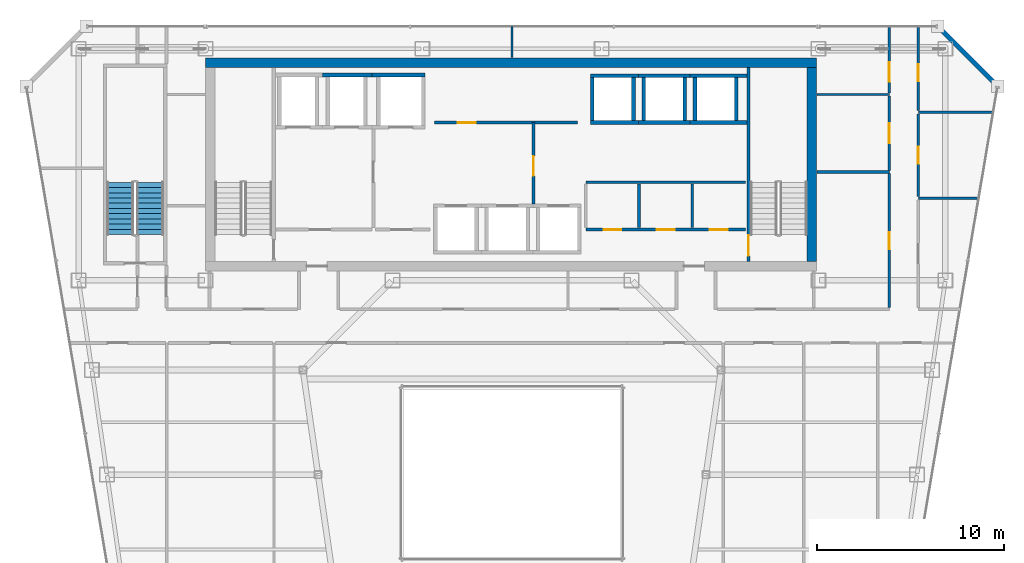
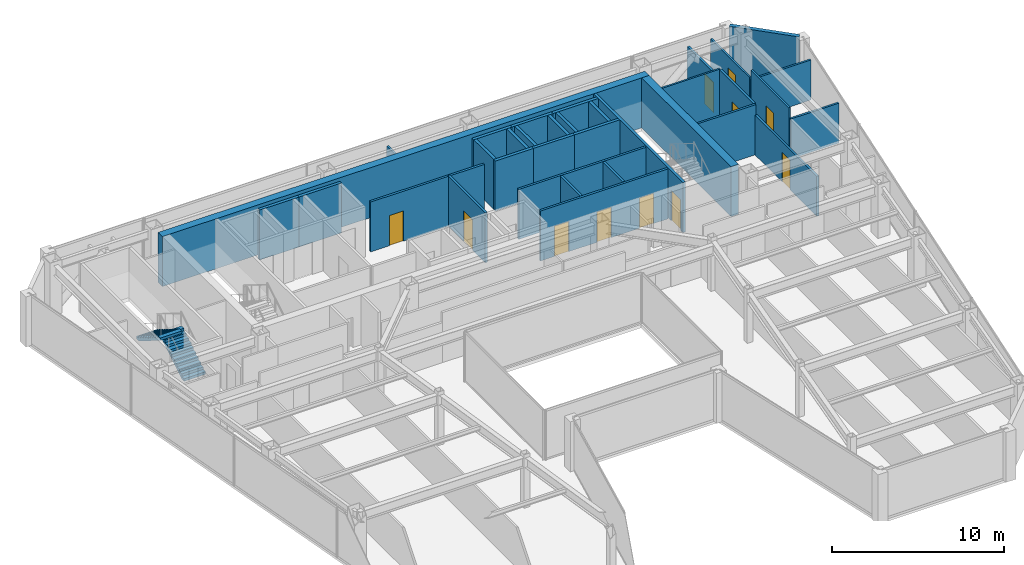
# One storey, part 32 of 36: 34 walls, 11 doors, 2 stair flights, 11 openings, 1 element without a shape of its own.
"""IFC4 building model written with IfcOpenShell, lengths in metres."""

from ifc_helpers import new_model, si_unit, direction, frame, frame_2d, origin, place, context, subcontext, project, spatial, polyline, rectangle, outline, extrude, material, layer, layer_set, type_object, element, fill, aggregate, save


model = new_model("IFC4")

# Units and contexts
model_context = context("Model", 3, precision=1e-05, world=origin(), true_north=direction((0.0, 1.0)))
body_context = subcontext(model_context, "Body", "Model", "MODEL_VIEW")
ifc_project = project(units=[si_unit("LENGTHUNIT", "METRE"), si_unit("AREAUNIT", "SQUARE_METRE"), si_unit("VOLUMEUNIT", "CUBIC_METRE"), si_unit("PLANEANGLEUNIT", "RADIAN"), si_unit("MASSUNIT", "GRAM", prefix="KILO")], contexts=[model_context])

# Site, building, storey
site_placement = place(None, origin())
site = spatial("IfcSite", under=ifc_project, at=site_placement, CompositionType="ELEMENT")
building_placement = place(site_placement, origin())
building = spatial("IfcBuilding", under=site, at=building_placement, Name="Saevonmaru Cultural Tower", CompositionType="ELEMENT")
storey_placement = place(building_placement, frame((0.0, 0.0, 201.800048828125)))
storey = spatial("IfcBuildingStorey", under=building, at=storey_placement, Name="L46", CompositionType="ELEMENT", Elevation=201.800048828125)

# Walls
ifc_material_1 = material(Name="Concrete C60/75", Category="concrete")
ifc_layer_1 = layer(ifc_material_1, 0.5, Name="Concrete C60/75")
ifc_layer_set_1 = layer_set([ifc_layer_1], Name="Concrete C60/75")
wall_type_1 = type_object("IfcWallType", Name="WL-CORE-500", PredefinedType="SHEAR", material=ifc_layer_set_1)
wall_1_placement = place(storey_placement, frame((13.60009765625, 54.050048828125, 0.0), z_axis=(0.0, 0.0, 1.0), x_axis=(1.0, 0.0, 0.0)))
element("IfcWall", 1, at=wall_1_placement, inside=storey, type_object=wall_type_1, Name="L46 Tower RC core shear wall N", PredefinedType="SHEAR", context=body_context, shape_type="SweptSolid", body=[
    extrude(rectangle(XDim=32.699951171875, YDim=0.5, at=frame_2d((16.35009765625, 0.0))), origin(), (0.0, 0.0, 1.0), 3.550048828125),
])
wall_2_placement = place(storey_placement, frame((46.050048828125, 43.39990234375, 0.0), z_axis=(0.0, 0.0, 1.0), x_axis=(0.0, 1.0, 0.0)))
element("IfcWall", 2, at=wall_2_placement, inside=storey, type_object=wall_type_1, Name="L46 Tower RC core shear wall E", PredefinedType="SHEAR", context=body_context, shape_type="SweptSolid", body=[
    extrude(rectangle(XDim=10.400146484375, YDim=0.5, at=frame_2d((5.2001953125, 0.0))), origin(), (0.0, 0.0, 1.0), 3.550048828125),
])

# Wall, opening, door
ifc_material_2 = material(Name="Gypsum Fireboard Partition", Category="gypsum")
ifc_layer_2 = layer(ifc_material_2, 0.14990234375, Name="Gypsum Fireboard Partition")
ifc_layer_set_2 = layer_set([ifc_layer_2], Name="Gypsum Fireboard Partition")
wall_type_2 = type_object("IfcWallType", Name="WL-CORE-PART-150", PredefinedType="PARTITIONING", material=ifc_layer_set_2)
wall_3_placement = place(storey_placement, frame((31.14990234375, 46.5, 0.0), z_axis=(0.0, 0.0, 1.0), x_axis=(0.0, 1.0, 0.0)))
wall_3 = element("IfcWall", 3, at=wall_3_placement, inside=storey, type_object=wall_type_2, Name="L46 Lift Zone Baffle 1", PredefinedType="PARTITIONING", context=body_context, shape_type="SweptSolid", body=[
    extrude(rectangle(XDim=4.35009765625, YDim=0.14990234375, at=frame_2d((2.175048828125, 0.0))), origin(), (0.0, 0.0, 1.0), 3.550048828125),
])
opening_1_placement = place(wall_3_placement, frame((1.5, 0.0, 0.0)))
opening_1 = element("IfcOpeningElement", 4, at=opening_1_placement, cuts=wall_3, Name="Opening ID-1", PredefinedType="OPENING", context=body_context, shape_type="SweptSolid", body=[
    extrude(rectangle(XDim=1.050048828125, YDim=2.14990234375, at=frame_2d((0.52490234375, 1.074951171875))), frame((0.0, 0.0849609375, 0.0), z_axis=(0.0, -1.0, 0.0), x_axis=(1.0, 0.0, 0.0)), (0.0, 0.0, 1.0), 0.169921875),
])
ifc_material_3 = material(Name="Satin Bronze Anodised Aluminium", Category="aluminium")
door_type_1 = type_object("IfcDoorType", Name="DR-INT-1050", OperationType="SINGLE_SWING_LEFT", PredefinedType="DOOR", material=ifc_material_3)
door_1_placement = place(opening_1_placement, origin())
door_1 = element("IfcDoor", 5, at=door_1_placement, inside=storey, type_object=door_type_1, Name="L46 West-Mid Lobby Portal", OperationType="SINGLE_SWING_LEFT", OverallHeight=2.14990234375, OverallWidth=1.050048828125, PredefinedType="DOOR", context=body_context, shape_type="SweptSolid", body=[
    extrude(rectangle(XDim=1.050048828125, YDim=2.14990234375, at=frame_2d((0.52490234375, 1.074951171875))), frame((0.0, 0.02490234375, 0.0), z_axis=(0.0, -1.0, 0.0), x_axis=(1.0, 0.0, 0.0)), (0.0, 0.0, 1.0), 0.050048828125),
])
fill(opening_1, door_1)

# Wall, openings, doors
wall_4_placement = place(storey_placement, frame((33.949951171875, 45.1201171875, 0.0), z_axis=(0.0, 0.0, 1.0), x_axis=(1.0, 0.0, 0.0)))
wall_4 = element("IfcWall", 6, at=wall_4_placement, inside=storey, type_object=wall_type_2, Name="L46 Core Utility South Wall", PredefinedType="PARTITIONING", context=body_context, shape_type="SweptSolid", body=[
    extrude(rectangle(XDim=8.550048828125, YDim=0.14990234375, at=frame_2d((4.27490234375, 0.0))), origin(), (0.0, 0.0, 1.0), 3.550048828125),
])
opening_2_placement = place(wall_4_placement, frame((0.949951171875, 0.0, 0.0)))
opening_2 = element("IfcOpeningElement", 7, at=opening_2_placement, cuts=wall_4, Name="Opening FD-4", PredefinedType="OPENING", context=body_context, shape_type="SweptSolid", body=[
    extrude(rectangle(XDim=0.949951171875, YDim=2.14990234375, at=frame_2d((0.47509765625, 1.074951171875))), frame((0.0, 0.0849609375, 0.0), z_axis=(0.0, -1.0, 0.0), x_axis=(1.0, 0.0, 0.0)), (0.0, 0.0, 1.0), 0.169921875),
])
opening_3_placement = place(wall_4_placement, frame((3.800048828125, 0.0, 0.0)))
opening_3 = element("IfcOpeningElement", 8, at=opening_3_placement, cuts=wall_4, Name="Opening FD-4", PredefinedType="OPENING", context=body_context, shape_type="SweptSolid", body=[
    extrude(rectangle(XDim=0.949951171875, YDim=2.14990234375, at=frame_2d((0.47509765625, 1.074951171875))), frame((0.0, 0.0849609375, 0.0), z_axis=(0.0, -1.0, 0.0), x_axis=(1.0, 0.0, 0.0)), (0.0, 0.0, 1.0), 0.169921875),
])
opening_4_placement = place(wall_4_placement, frame((6.64990234375, 0.0, 0.0)))
opening_4 = element("IfcOpeningElement", 9, at=opening_4_placement, cuts=wall_4, Name="Opening FD-4", PredefinedType="OPENING", context=body_context, shape_type="SweptSolid", body=[
    extrude(rectangle(XDim=0.949951171875, YDim=2.14990234375, at=frame_2d((0.47509765625, 1.074951171875))), frame((0.0, 0.0849609375, 0.0), z_axis=(0.0, -1.0, 0.0), x_axis=(1.0, 0.0, 0.0)), (0.0, 0.0, 1.0), 0.169921875),
])
door_type_2 = type_object("IfcDoorType", Name="DR-FD60-950", OperationType="SINGLE_SWING_LEFT", PredefinedType="DOOR", material=ifc_material_3)
door_2_placement = place(opening_2_placement, origin())
door_2 = element("IfcDoor", 10, at=door_2_placement, inside=storey, type_object=door_type_2, Name="L46 Meter Plant Door", OperationType="SINGLE_SWING_LEFT", OverallHeight=2.14990234375, OverallWidth=0.949951171875, PredefinedType="DOOR", context=body_context, shape_type="SweptSolid", body=[
    extrude(rectangle(XDim=0.949951171875, YDim=2.14990234375, at=frame_2d((0.47509765625, 1.074951171875))), frame((0.0, 0.02490234375, 0.0), z_axis=(0.0, -1.0, 0.0), x_axis=(1.0, 0.0, 0.0)), (0.0, 0.0, 1.0), 0.050048828125),
])
fill(opening_2, door_2)
door_3_placement = place(opening_3_placement, origin())
door_3 = element("IfcDoor", 11, at=door_3_placement, inside=storey, type_object=door_type_2, Name="L46 AV Rack Plant Door", OperationType="SINGLE_SWING_LEFT", OverallHeight=2.14990234375, OverallWidth=0.949951171875, PredefinedType="DOOR", context=body_context, shape_type="SweptSolid", body=[
    extrude(rectangle(XDim=0.949951171875, YDim=2.14990234375, at=frame_2d((0.47509765625, 1.074951171875))), frame((0.0, 0.02490234375, 0.0), z_axis=(0.0, -1.0, 0.0), x_axis=(1.0, 0.0, 0.0)), (0.0, 0.0, 1.0), 0.050048828125),
])
fill(opening_3, door_3)
door_4_placement = place(opening_4_placement, origin())
door_4 = element("IfcDoor", 12, at=door_4_placement, inside=storey, type_object=door_type_2, Name="L46 Archive Supply Storage Door", OperationType="SINGLE_SWING_LEFT", OverallHeight=2.14990234375, OverallWidth=0.949951171875, PredefinedType="DOOR", context=body_context, shape_type="SweptSolid", body=[
    extrude(rectangle(XDim=0.949951171875, YDim=2.14990234375, at=frame_2d((0.47509765625, 1.074951171875))), frame((0.0, 0.02490234375, 0.0), z_axis=(0.0, -1.0, 0.0), x_axis=(1.0, 0.0, 0.0)), (0.0, 0.0, 1.0), 0.050048828125),
])
fill(opening_4, door_4)

# Walls
wall_5_placement = place(storey_placement, frame((33.949951171875, 47.64990234375, 0.0), z_axis=(0.0, 0.0, 1.0), x_axis=(1.0, 0.0, 0.0)))
element("IfcWall", 13, at=wall_5_placement, inside=storey, type_object=wall_type_2, Name="L46 Core Utility North Wall", PredefinedType="PARTITIONING", context=body_context, shape_type="SweptSolid", body=[
    extrude(rectangle(XDim=8.550048828125, YDim=0.14990234375, at=frame_2d((4.27490234375, 0.0))), origin(), (0.0, 0.0, 1.0), 3.550048828125),
])
for number, where, z_axis, x_axis, name in (
    (14, (36.800048828125, 45.219970703125, 0.0), (0.0, 0.0, 1.0), (0.0, 1.0, 0.0), "L46 Utility Divider 1"),
    (15, (39.64990234375, 45.219970703125, 0.0), (0.0, 0.0, 1.0), (0.0, 1.0, 0.0), "L46 Utility Divider 2"),
):
    element("IfcWall", number, at=place(storey_placement, frame(where, z_axis=z_axis, x_axis=x_axis)), inside=storey, type_object=wall_type_2, Name=name, PredefinedType="PARTITIONING", context=body_context, shape_type="SweptSolid", body=[
        extrude(rectangle(XDim=2.330078125, YDim=0.14990234375, at=frame_2d((1.1650390625, 0.0))), origin(), (0.0, 0.0, 1.0), 3.550048828125),
    ])

# Wall, opening, door
wall_6_placement = place(storey_placement, frame((25.85009765625, 50.85009765625, 0.0), z_axis=(0.0, 0.0, 1.0), x_axis=(1.0, 0.0, 0.0)))
wall_6 = element("IfcWall", 16, at=wall_6_placement, inside=storey, type_object=wall_type_2, Name="L46 Reclaimed Core Room South Wall", PredefinedType="PARTITIONING", context=body_context, shape_type="SweptSolid", body=[
    extrude(rectangle(XDim=7.64990234375, YDim=0.14990234375, at=frame_2d((3.824951171875, 0.0))), origin(), (0.0, 0.0, 1.0), 3.550048828125),
])
opening_5_placement = place(wall_6_placement, frame((1.25, 0.0, 0.0)))
opening_5 = element("IfcOpeningElement", 17, at=opening_5_placement, cuts=wall_6, Name="Opening FD-4", PredefinedType="OPENING", context=body_context, shape_type="SweptSolid", body=[
    extrude(rectangle(XDim=0.949951171875, YDim=2.14990234375, at=frame_2d((0.47509765625, 1.074951171875))), frame((0.0, 0.0849609375, 0.0), z_axis=(0.0, -1.0, 0.0), x_axis=(1.0, 0.0, 0.0)), (0.0, 0.0, 1.0), 0.169921875),
])
door_5_placement = place(opening_5_placement, origin())
door_5 = element("IfcDoor", 18, at=door_5_placement, inside=storey, type_object=door_type_2, Name="L46 Reclaimed Archive Vault Door", OperationType="SINGLE_SWING_LEFT", OverallHeight=2.14990234375, OverallWidth=0.949951171875, PredefinedType="DOOR", context=body_context, shape_type="SweptSolid", body=[
    extrude(rectangle(XDim=0.949951171875, YDim=2.14990234375, at=frame_2d((0.47509765625, 1.074951171875))), frame((0.0, 0.02490234375, 0.0), z_axis=(0.0, -1.0, 0.0), x_axis=(1.0, 0.0, 0.0)), (0.0, 0.0, 1.0), 0.050048828125),
])
fill(opening_5, door_5)

# Wall
ifc_material_4 = material(Name="Granite-Clad Precast Concrete C40/50", Category="masonry")
ifc_layer_3 = layer(ifc_material_4, 0.260009765625, Name="Granite-Clad Precast Concrete C40/50")
ifc_layer_set_3 = layer_set([ifc_layer_3], Name="Granite-Clad Precast Concrete C40/50")
wall_type_3 = type_object("IfcWallType", Name="WL-EXT-SPANDREL-260", PredefinedType="STANDARD", material=ifc_layer_set_3)
wall_7_placement = place(storey_placement, frame((55.886962890625, 52.9130859375, 0.0), z_axis=(0.0, 0.0, 1.0), x_axis=(-0.707106781187, 0.707106781187, 0.0)))
element("IfcWall", 19, at=wall_7_placement, inside=storey, type_object=wall_type_3, Name="L46 Chamfer Corner Spandrel Wall E9", PredefinedType="STANDARD", context=body_context, shape_type="SweptSolid", body=[
    extrude(rectangle(XDim=4.205810546875, YDim=0.260009765625, at=frame_2d((2.10302734375, 0.0))), origin(), (0.0, 0.0, 1.0), 3.550048828125),
])

# Wall, opening, door
ifc_layer_4 = layer(ifc_material_2, 0.14990234375, Name="Gypsum Fireboard Partition")
ifc_layer_set_4 = layer_set([ifc_layer_4], Name="Gypsum Fireboard Partition")
wall_type_4 = type_object("IfcWallType", Name="WL-PART-FIRE-150", PredefinedType="PARTITIONING", material=ifc_layer_set_4)
wall_8_placement = place(storey_placement, frame((50.199951171875, 48.2900390625, 0.0), z_axis=(0.0, 0.0, 1.0), x_axis=(0.0, 1.0, 0.0)))
wall_8 = element("IfcWall", 20, at=wall_8_placement, inside=storey, type_object=wall_type_4, Name="L46 Permanent Exhibition Gallery Corridor Wall", PredefinedType="PARTITIONING", context=body_context, shape_type="SweptSolid", body=[
    extrude(rectangle(XDim=3.97998046875, YDim=0.14990234375, at=frame_2d((1.989990234375, 0.0))), origin(), (0.0, 0.0, 1.0), 3.550048828125),
])
opening_6_placement = place(wall_8_placement, frame((1.465087890625, 0.0, 0.0)))
opening_6 = element("IfcOpeningElement", 21, at=opening_6_placement, cuts=wall_8, Name="Opening ID-1", PredefinedType="OPENING", context=body_context, shape_type="SweptSolid", body=[
    extrude(rectangle(XDim=1.050048828125, YDim=2.14990234375, at=frame_2d((0.52490234375, 1.074951171875))), frame((0.0, 0.0849609375, 0.0), z_axis=(0.0, -1.0, 0.0), x_axis=(1.0, 0.0, 0.0)), (0.0, 0.0, 1.0), 0.169921875),
])
door_6_placement = place(opening_6_placement, origin())
door_6 = element("IfcDoor", 22, at=door_6_placement, inside=storey, type_object=door_type_1, Name="L46 Permanent Exhibition Gallery Door", OperationType="SINGLE_SWING_LEFT", OverallHeight=2.14990234375, OverallWidth=1.050048828125, PredefinedType="DOOR", context=body_context, shape_type="SweptSolid", body=[
    extrude(rectangle(XDim=1.050048828125, YDim=2.14990234375, at=frame_2d((0.52490234375, 1.074951171875))), frame((0.0, 0.02490234375, 0.0), z_axis=(0.0, -1.0, 0.0), x_axis=(1.0, 0.0, 0.0)), (0.0, 0.0, 1.0), 0.050048828125),
])
fill(opening_6, door_6)

wall_9_placement = place(storey_placement, frame((50.199951171875, 52.429931640625, 0.0), z_axis=(0.0, 0.0, 1.0), x_axis=(0.0, 1.0, 0.0)))
wall_9 = element("IfcWall", 23, at=wall_9_placement, inside=storey, type_object=wall_type_4, Name="L46 Contemporary Photography Gallery Corridor Wall", PredefinedType="PARTITIONING", context=body_context, shape_type="SweptSolid", body=[
    extrude(rectangle(XDim=3.565185546875, YDim=0.14990234375, at=frame_2d((1.78271484375, 0.0))), origin(), (0.0, 0.0, 1.0), 2.93505859375),
])
opening_7_placement = place(wall_9_placement, frame((0.596923828125, 0.0, 0.0)))
opening_7 = element("IfcOpeningElement", 24, at=opening_7_placement, cuts=wall_9, Name="Opening ID-1", PredefinedType="OPENING", context=body_context, shape_type="SweptSolid", body=[
    extrude(rectangle(XDim=1.050048828125, YDim=2.14990234375, at=frame_2d((0.52490234375, 1.074951171875))), frame((0.0, 0.0849609375, 0.0), z_axis=(0.0, -1.0, 0.0), x_axis=(1.0, 0.0, 0.0)), (0.0, 0.0, 1.0), 0.169921875),
])
door_7_placement = place(opening_7_placement, origin())
door_7 = element("IfcDoor", 25, at=door_7_placement, inside=storey, type_object=door_type_1, Name="L46 Contemporary Photography Gallery Door", OperationType="SINGLE_SWING_RIGHT", OverallHeight=2.14990234375, OverallWidth=1.050048828125, PredefinedType="DOOR", context=body_context, shape_type="SweptSolid", body=[
    extrude(rectangle(XDim=1.050048828125, YDim=2.14990234375, at=frame_2d((0.52490234375, 1.074951171875))), frame((0.0, 0.02490234375, 0.0), z_axis=(0.0, -1.0, 0.0), x_axis=(1.0, 0.0, 0.0)), (0.0, 0.0, 1.0), 0.050048828125),
])
fill(opening_7, door_7)

# Walls
ifc_layer_5 = layer(ifc_material_2, 0.1201171875, Name="Gypsum Fireboard Partition")
ifc_layer_set_5 = layer_set([ifc_layer_5], Name="Gypsum Fireboard Partition")
wall_type_5 = type_object("IfcWallType", Name="WL-PART-GYP-120", PredefinedType="PARTITIONING", material=ifc_layer_set_5)
wall_10_placement = place(storey_placement, frame((46.320068359375, 52.35009765625, 0.0), z_axis=(0.0, 0.0, 1.0), x_axis=(1.0, 0.0, 0.0)))
element("IfcWall", 26, at=wall_10_placement, inside=storey, type_object=wall_type_5, Name="L46 North-East Panorama South Wall", PredefinedType="PARTITIONING", context=body_context, shape_type="SweptSolid", body=[
    extrude(rectangle(XDim=3.8798828125, YDim=0.1201171875, at=frame_2d((1.93994140625, 0.0))), origin(), (0.0, 0.0, 1.0), 3.550048828125),
])
wall_11_placement = place(storey_placement, frame((30.0, 54.320068359375, 0.0), z_axis=(0.0, 0.0, 1.0), x_axis=(0.0, 1.0, 0.0)))
element("IfcWall", 27, at=wall_11_placement, inside=storey, type_object=wall_type_5, Name="L46 North Panorama Center Split", PredefinedType="PARTITIONING", context=body_context, shape_type="SweptSolid", body=[
    extrude(rectangle(XDim=1.675048828125, YDim=0.1201171875, at=frame_2d((0.83740234375, 0.0))), origin(), (0.0, 0.0, 1.0), 2.93505859375),
])

# Wall, opening, door
wall_12_placement = place(storey_placement, frame((51.75, 46.887451171875, 0.0), z_axis=(0.0, 0.0, 1.0), x_axis=(0.0, 1.0, 0.0)))
wall_12 = element("IfcWall", 28, at=wall_12_placement, inside=storey, type_object=wall_type_5, Name="L46 Urban Design Meeting Room Corridor Wall", PredefinedType="PARTITIONING", context=body_context, shape_type="SweptSolid", body=[
    extrude(rectangle(XDim=4.425048828125, YDim=0.1201171875, at=frame_2d((2.21240234375, 0.0))), origin(), (0.0, 0.0, 1.0), 3.550048828125),
])
opening_8_placement = place(wall_12_placement, frame((1.761962890625, 0.0, 0.0)))
opening_8 = element("IfcOpeningElement", 29, at=opening_8_placement, cuts=wall_12, Name="Opening ID-2", PredefinedType="OPENING", context=body_context, shape_type="SweptSolid", body=[
    extrude(rectangle(XDim=0.89990234375, YDim=2.10009765625, at=frame_2d((0.449951171875, 1.050048828125))), frame((0.0, 0.070068359375, 0.0), z_axis=(0.0, -1.0, 0.0), x_axis=(1.0, 0.0, 0.0)), (0.0, 0.0, 1.0), 0.14013671875),
])
ifc_material_5 = material(Name="Acoustic Stained Oak Timber", Category="wood")
door_type_3 = type_object("IfcDoorType", Name="DR-INT-900", OperationType="SINGLE_SWING_RIGHT", PredefinedType="DOOR", material=ifc_material_5)
door_8_placement = place(opening_8_placement, origin())
door_8 = element("IfcDoor", 30, at=door_8_placement, inside=storey, type_object=door_type_3, Name="L46 Urban Design Meeting Room Door", OperationType="SINGLE_SWING_RIGHT", OverallHeight=2.10009765625, OverallWidth=0.89990234375, PredefinedType="DOOR", context=body_context, shape_type="SweptSolid", body=[
    extrude(rectangle(XDim=0.89990234375, YDim=2.10009765625, at=frame_2d((0.449951171875, 1.050048828125))), frame((0.0, 0.02490234375, 0.0), z_axis=(0.0, -1.0, 0.0), x_axis=(1.0, 0.0, 0.0)), (0.0, 0.0, 1.0), 0.050048828125),
])
fill(opening_8, door_8)

wall_13_placement = place(storey_placement, frame((51.75, 51.487548828125, 0.0), z_axis=(0.0, 0.0, 1.0), x_axis=(0.0, 1.0, 0.0)))
wall_13 = element("IfcWall", 31, at=wall_13_placement, inside=storey, type_object=wall_type_5, Name="L46 Calligraphy Teaching Studio Corridor Wall", PredefinedType="PARTITIONING", context=body_context, shape_type="SweptSolid", body=[
    extrude(rectangle(XDim=4.507568359375, YDim=0.1201171875, at=frame_2d((2.25390625, 0.0))), origin(), (0.0, 0.0, 1.0), 2.93505859375),
])
opening_9_placement = place(wall_13_placement, frame((1.583984375, 0.0, 0.0)))
opening_9 = element("IfcOpeningElement", 32, at=opening_9_placement, cuts=wall_13, Name="Opening ID-2", PredefinedType="OPENING", context=body_context, shape_type="SweptSolid", body=[
    extrude(rectangle(XDim=0.89990234375, YDim=2.10009765625, at=frame_2d((0.449951171875, 1.050048828125))), frame((0.0, 0.070068359375, 0.0), z_axis=(0.0, -1.0, 0.0), x_axis=(1.0, 0.0, 0.0)), (0.0, 0.0, 1.0), 0.14013671875),
])
door_9_placement = place(opening_9_placement, origin())
door_9 = element("IfcDoor", 33, at=door_9_placement, inside=storey, type_object=door_type_3, Name="L46 Calligraphy Teaching Studio Door", OperationType="SINGLE_SWING_LEFT", OverallHeight=2.10009765625, OverallWidth=0.89990234375, PredefinedType="DOOR", context=body_context, shape_type="SweptSolid", body=[
    extrude(rectangle(XDim=0.89990234375, YDim=2.10009765625, at=frame_2d((0.449951171875, 1.050048828125))), frame((0.0, 0.02490234375, 0.0), z_axis=(0.0, -1.0, 0.0), x_axis=(1.0, 0.0, 0.0)), (0.0, 0.0, 1.0), 0.050048828125),
])
fill(opening_9, door_9)

# Walls
ifc_layer_6 = layer(ifc_material_2, 0.135009765625, Name="Gypsum Fireboard Partition")
ifc_layer_set_6 = layer_set([ifc_layer_6], Name="Gypsum Fireboard Partition")
wall_type_6 = type_object("IfcWallType", Name="WL-PART-GYP-135", PredefinedType="PARTITIONING", material=ifc_layer_set_6)
wall_14_placement = place(storey_placement, frame((51.75, 46.800048828125, 0.0), z_axis=(0.0, 0.0, 1.0), x_axis=(1.0, 0.0, 0.0)))
element("IfcWall", 34, at=wall_14_placement, inside=storey, type_object=wall_type_6, Name="L46 NE Studio Divider 1", PredefinedType="PARTITIONING", context=body_context, shape_type="SweptSolid", body=[
    extrude(rectangle(XDim=3.229248046875, YDim=0.135009765625, at=frame_2d((1.61474609375, 0.0))), origin(), (0.0, 0.0, 1.0), 2.8349609375),
])
wall_15_placement = place(storey_placement, frame((51.75, 51.39990234375, 0.0), z_axis=(0.0, 0.0, 1.0), x_axis=(1.0, 0.0, 0.0)))
element("IfcWall", 35, at=wall_15_placement, inside=storey, type_object=wall_type_6, Name="L46 NE Studio Divider 2", PredefinedType="PARTITIONING", context=body_context, shape_type="SweptSolid", body=[
    extrude(rectangle(XDim=4.0078125, YDim=0.135009765625, at=frame_2d((2.00390625, 0.0))), origin(), (0.0, 0.0, 1.0), 2.8349609375),
])
ifc_layer_7 = layer(ifc_material_2, 0.139892578125, Name="Gypsum Fireboard Partition")
ifc_layer_set_7 = layer_set([ifc_layer_7], Name="Gypsum Fireboard Partition")
wall_type_7 = type_object("IfcWallType", Name="WL-PART-WET-140", PredefinedType="PARTITIONING", material=ifc_layer_set_7)
wall_16_placement = place(storey_placement, frame((46.320068359375, 48.199951171875, 0.0), z_axis=(0.0, 0.0, 1.0), x_axis=(1.0, 0.0, 0.0)))
element("IfcWall", 36, at=wall_16_placement, inside=storey, type_object=wall_type_7, Name="L46 Washroom North Wall", PredefinedType="PARTITIONING", context=body_context, shape_type="SweptSolid", body=[
    extrude(rectangle(XDim=3.8798828125, YDim=0.139892578125, at=frame_2d((1.93994140625, 0.0))), origin(), (0.0, 0.0, 1.0), 3.550048828125),
])

# Wall, opening, door
wall_17_placement = place(storey_placement, frame((50.199951171875, 40.93994140625, 0.0), z_axis=(0.0, 0.0, 1.0), x_axis=(0.0, 1.0, 0.0)))
wall_17 = element("IfcWall", 37, at=wall_17_placement, inside=storey, type_object=wall_type_7, Name="L46 Washroom Corridor Wall", PredefinedType="PARTITIONING", context=body_context, shape_type="SweptSolid", body=[
    extrude(rectangle(XDim=7.170166015625, YDim=0.139892578125, at=frame_2d((3.5849609375, 0.0))), origin(), (0.0, 0.0, 1.0), 2.8349609375),
])
opening_10_placement = place(wall_17_placement, frame((3.135009765625, 0.0, 0.0)))
opening_10 = element("IfcOpeningElement", 38, at=opening_10_placement, cuts=wall_17, Name="Opening ID-2", PredefinedType="OPENING", context=body_context, shape_type="SweptSolid", body=[
    extrude(rectangle(XDim=0.89990234375, YDim=2.10009765625, at=frame_2d((0.449951171875, 1.050048828125))), frame((0.0, 0.080078125, 0.0), z_axis=(0.0, -1.0, 0.0), x_axis=(1.0, 0.0, 0.0)), (0.0, 0.0, 1.0), 0.159912109375),
])
door_10_placement = place(opening_10_placement, origin())
door_10 = element("IfcDoor", 39, at=door_10_placement, inside=storey, type_object=door_type_3, Name="L46 Public Accessible Washrooms Door", OperationType="SINGLE_SWING_RIGHT", OverallHeight=2.10009765625, OverallWidth=0.89990234375, PredefinedType="DOOR", context=body_context, shape_type="SweptSolid", body=[
    extrude(rectangle(XDim=0.89990234375, YDim=2.10009765625, at=frame_2d((0.449951171875, 1.050048828125))), frame((0.0, 0.02490234375, 0.0), z_axis=(0.0, -1.0, 0.0), x_axis=(1.0, 0.0, 0.0)), (0.0, 0.0, 1.0), 0.050048828125),
])
fill(opening_10, door_10)

# Walls
ifc_material_6 = material(Name="Concrete C40/50", Category="concrete")
ifc_layer_8 = layer(ifc_material_6, 0.199951171875, Name="Concrete C40/50")
ifc_layer_set_8 = layer_set([ifc_layer_8], Name="Concrete C40/50")
wall_type_8 = type_object("IfcWallType", Name="WL-SHAFT-200", PredefinedType="SHEAR", material=ifc_layer_set_8)
wall_18_placement = place(storey_placement, frame((19.85009765625, 53.39990234375, 0.0), z_axis=(0.0, 0.0, 1.0), x_axis=(1.0, 0.0, 0.0)))
element("IfcWall", 40, at=wall_18_placement, inside=storey, type_object=wall_type_8, Name="L46 Lift FFL-2 Hoistway Wall N", PredefinedType="SHEAR", context=body_context, shape_type="SweptSolid", body=[
    extrude(rectangle(XDim=2.64990234375, YDim=0.199951171875, at=frame_2d((1.324951171875, 0.0))), origin(), (0.0, 0.0, 1.0), 3.550048828125),
])
wall_19_placement = place(storey_placement, frame((22.5, 53.39990234375, 0.0), z_axis=(0.0, 0.0, 1.0), x_axis=(1.0, 0.0, 0.0)))
element("IfcWall", 41, at=wall_19_placement, inside=storey, type_object=wall_type_8, Name="L46 Lift GL-1 Hoistway Wall N", PredefinedType="SHEAR", context=body_context, shape_type="SweptSolid", body=[
    extrude(rectangle(XDim=2.85009765625, YDim=0.199951171875, at=frame_2d((1.425048828125, 0.0))), origin(), (0.0, 0.0, 1.0), 3.550048828125),
])
for number, where, z_axis, x_axis, name in (
    (42, (34.199951171875, 50.85009765625, 0.0), (0.0, 0.0, 1.0), (1.0, 0.0, 0.0), "L46 Lift PL-H1 Hoistway Wall S"),
    (43, (34.199951171875, 53.35009765625, 0.0), (0.0, 0.0, 1.0), (1.0, 0.0, 0.0), "L46 Lift PL-H1 Hoistway Wall N"),
):
    element("IfcWall", number, at=place(storey_placement, frame(where, z_axis=z_axis, x_axis=x_axis)), inside=storey, type_object=wall_type_8, Name=name, PredefinedType="SHEAR", context=body_context, shape_type="SweptSolid", body=[
        extrude(rectangle(XDim=2.574951171875, YDim=0.199951171875, at=frame_2d((1.28759765625, 0.0))), origin(), (0.0, 0.0, 1.0), 3.550048828125),
    ])
for number, where, z_axis, x_axis, name in (
    (44, (34.300048828125, 50.949951171875, 0.0), (0.0, 0.0, 1.0), (0.0, 1.0, 0.0), "L46 Lift PL-H1 Hoistway Wall W"),
    (45, (36.5, 50.949951171875, 0.0), (0.0, 0.0, 1.0), (0.0, 1.0, 0.0), "L46 Lift PL-H1 Hoistway Wall E"),
):
    element("IfcWall", number, at=place(storey_placement, frame(where, z_axis=z_axis, x_axis=x_axis)), inside=storey, type_object=wall_type_8, Name=name, PredefinedType="SHEAR", context=body_context, shape_type="SweptSolid", body=[
        extrude(rectangle(XDim=2.300048828125, YDim=0.199951171875, at=frame_2d((1.14990234375, 0.0))), origin(), (0.0, 0.0, 1.0), 3.550048828125),
    ])
for number, where, z_axis, x_axis, name in (
    (46, (36.77490234375, 50.85009765625, 0.0), (0.0, 0.0, 1.0), (1.0, 0.0, 0.0), "L46 Lift PL-H2 Hoistway Wall S"),
    (47, (36.77490234375, 53.35009765625, 0.0), (0.0, 0.0, 1.0), (1.0, 0.0, 0.0), "L46 Lift PL-H2 Hoistway Wall N"),
):
    element("IfcWall", number, at=place(storey_placement, frame(where, z_axis=z_axis, x_axis=x_axis)), inside=storey, type_object=wall_type_8, Name=name, PredefinedType="SHEAR", context=body_context, shape_type="SweptSolid", body=[
        extrude(rectangle(XDim=2.75, YDim=0.199951171875, at=frame_2d((1.375, 0.0))), origin(), (0.0, 0.0, 1.0), 3.550048828125),
    ])
for number, where, z_axis, x_axis, name in (
    (48, (37.050048828125, 50.949951171875, 0.0), (0.0, 0.0, 1.0), (0.0, 1.0, 0.0), "L46 Lift PL-H2 Hoistway Wall W"),
    (49, (39.25, 50.949951171875, 0.0), (0.0, 0.0, 1.0), (0.0, 1.0, 0.0), "L46 Lift PL-H2 Hoistway Wall E"),
):
    element("IfcWall", number, at=place(storey_placement, frame(where, z_axis=z_axis, x_axis=x_axis)), inside=storey, type_object=wall_type_8, Name=name, PredefinedType="SHEAR", context=body_context, shape_type="SweptSolid", body=[
        extrude(rectangle(XDim=2.300048828125, YDim=0.199951171875, at=frame_2d((1.14990234375, 0.0))), origin(), (0.0, 0.0, 1.0), 3.550048828125),
    ])
for number, where, z_axis, x_axis, name in (
    (50, (39.52490234375, 50.85009765625, 0.0), (0.0, 0.0, 1.0), (1.0, 0.0, 0.0), "L46 Lift PL-H3 Hoistway Wall S"),
    (51, (39.52490234375, 53.35009765625, 0.0), (0.0, 0.0, 1.0), (1.0, 0.0, 0.0), "L46 Lift PL-H3 Hoistway Wall N"),
):
    element("IfcWall", number, at=place(storey_placement, frame(where, z_axis=z_axis, x_axis=x_axis)), inside=storey, type_object=wall_type_8, Name=name, PredefinedType="SHEAR", context=body_context, shape_type="SweptSolid", body=[
        extrude(rectangle(XDim=3.045166015625, YDim=0.199951171875, at=frame_2d((1.5224609375, 0.0))), origin(), (0.0, 0.0, 1.0), 3.550048828125),
    ])
for number, where, z_axis, x_axis, name in (
    (52, (39.800048828125, 50.949951171875, 0.0), (0.0, 0.0, 1.0), (0.0, 1.0, 0.0), "L46 Lift PL-H3 Hoistway Wall W"),
    (53, (42.0, 50.949951171875, 0.0), (0.0, 0.0, 1.0), (0.0, 1.0, 0.0), "L46 Lift PL-H3 Hoistway Wall E"),
):
    element("IfcWall", number, at=place(storey_placement, frame(where, z_axis=z_axis, x_axis=x_axis)), inside=storey, type_object=wall_type_8, Name=name, PredefinedType="SHEAR", context=body_context, shape_type="SweptSolid", body=[
        extrude(rectangle(XDim=2.300048828125, YDim=0.199951171875, at=frame_2d((1.14990234375, 0.0))), origin(), (0.0, 0.0, 1.0), 3.550048828125),
    ])

# Wall, opening, door
ifc_layer_9 = layer(ifc_material_6, 0.179931640625, Name="Concrete C40/50")
ifc_layer_set_9 = layer_set([ifc_layer_9], Name="Concrete C40/50")
wall_type_9 = type_object("IfcWallType", Name="WL-STSHAFT-180", PredefinedType="SHEAR", material=ifc_layer_set_9)
wall_20_placement = place(storey_placement, frame((42.659912109375, 53.800048828125, 0.0), z_axis=(0.0, 0.0, 1.0), x_axis=(0.0, -1.0, 0.0)))
wall_20 = element("IfcWall", 54, at=wall_20_placement, inside=storey, type_object=wall_type_9, Name="L46 Stair ST-2 Structural Shaft Wall 1", PredefinedType="SHEAR", context=body_context, shape_type="SweptSolid", body=[
    extrude(rectangle(XDim=10.400146484375, YDim=0.179931640625, at=frame_2d((5.2001953125, 0.0))), origin(), (0.0, 0.0, 1.0), 3.550048828125),
])
opening_11_placement = place(wall_20_placement, frame((8.989990234375, 0.0, 0.0)))
opening_11 = element("IfcOpeningElement", 55, at=opening_11_placement, cuts=wall_20, Name="Opening FD-2", PredefinedType="OPENING", context=body_context, shape_type="SweptSolid", body=[
    extrude(rectangle(XDim=1.10009765625, YDim=2.14990234375, at=frame_2d((0.550048828125, 1.074951171875))), frame((0.0, 0.10009765625, 0.0), z_axis=(0.0, -1.0, 0.0), x_axis=(1.0, 0.0, 0.0)), (0.0, 0.0, 1.0), 0.199951171875),
])
door_type_4 = type_object("IfcDoorType", Name="DR-FD60-1100", OperationType="SINGLE_SWING_LEFT", PredefinedType="DOOR", material=ifc_material_3)
door_11_placement = place(opening_11_placement, origin())
door_11 = element("IfcDoor", 56, at=door_11_placement, inside=storey, type_object=door_type_4, Name="L46 Protected Stair ST-2 Fire Door", OperationType="SINGLE_SWING_LEFT", OverallHeight=2.14990234375, OverallWidth=1.10009765625, PredefinedType="DOOR", context=body_context, shape_type="SweptSolid", body=[
    extrude(rectangle(XDim=1.10009765625, YDim=2.14990234375, at=frame_2d((0.550048828125, 1.074951171875))), frame((0.0, 0.02490234375, 0.0), z_axis=(0.0, -1.0, 0.0), x_axis=(1.0, 0.0, 0.0)), (0.0, 0.0, 1.0), 0.050048828125),
])
fill(opening_11, door_11)

# Stair, stair flights
stair_type = type_object("IfcStairType", Name="STR-DOGLEG-RC", PredefinedType="HALF_TURN_STAIR", material=ifc_material_6)
stair_placement = place(storey_placement, origin())
stair = element("IfcStair", 57, at=stair_placement, inside=storey, type_object=stair_type, Name="L46 Protected exit stair ST-3", PredefinedType="HALF_TURN_STAIR")
ifc_material_7 = material(Name="Precast concrete C40/50", Category="concrete")
stair_flight_type = type_object("IfcStairFlightType", Name="STF-PRECAST-180", PredefinedType="STRAIGHT", material=ifc_material_7)
stair_flight_1_placement = place(storey_placement, frame((10.625, 44.85009765625, 0.0), z_axis=(0.0, 0.0, 1.0), x_axis=(0.0, 1.0, 0.0)))
stair_flight_1 = element("IfcStairFlight", 58, at=stair_flight_1_placement, type_object=stair_flight_type, Name="ST-3-L46 flight 1", NumberOfRisers=11, NumberOfTreads=10, PredefinedType="STRAIGHT", RiserHeight=0.172727273, TreadLength=0.28, context=body_context, shape_type="SweptSolid", body=[
    extrude(outline(polyline([(0.0, 0.0), (0.0, 0.172607421875), (0.280029296875, 0.172607421875), (0.280029296875, 0.345458984375), (0.56005859375, 0.345458984375), (0.56005859375, 0.51806640625), (0.840087890625, 0.51806640625), (0.840087890625, 0.69091796875), (1.1201171875, 0.69091796875), (1.1201171875, 0.863525390625), (1.39990234375, 0.863525390625), (1.39990234375, 1.036376953125), (1.679931640625, 1.036376953125), (1.679931640625, 1.208984375), (1.9599609375, 1.208984375), (1.9599609375, 1.3818359375), (2.239990234375, 1.3818359375), (2.239990234375, 1.554443359375), (2.52001953125, 1.554443359375), (2.52001953125, 1.727294921875), (2.800048828125, 1.727294921875), (2.800048828125, 1.89990234375), (2.800048828125, 1.551025390625), (0.285400390625, 0.0), (0.0, 0.0)])), frame((0.0, 0.72509765625, 0.0), z_axis=(0.0, -1.0, 0.0), x_axis=(1.0, 0.0, 0.0)), (0.0, 0.0, 1.0), 1.449951171875),
])
stair_flight_2_placement = place(storey_placement, frame((9.02490234375, 47.64990234375, 1.89990234375), z_axis=(0.0, 0.0, 1.0), x_axis=(0.0, -1.0, 0.0)))
stair_flight_2 = element("IfcStairFlight", 59, at=stair_flight_2_placement, type_object=stair_flight_type, Name="ST-3-L46 flight 2", NumberOfRisers=11, NumberOfTreads=10, PredefinedType="STRAIGHT", RiserHeight=0.172727273, TreadLength=0.28, context=body_context, shape_type="SweptSolid", body=[
    extrude(outline(polyline([(0.0, 0.0), (0.0, 0.172607421875), (0.280029296875, 0.172607421875), (0.280029296875, 0.345458984375), (0.56005859375, 0.345458984375), (0.56005859375, 0.51806640625), (0.840087890625, 0.51806640625), (0.840087890625, 0.69091796875), (1.1201171875, 0.69091796875), (1.1201171875, 0.863525390625), (1.39990234375, 0.863525390625), (1.39990234375, 1.036376953125), (1.679931640625, 1.036376953125), (1.679931640625, 1.208984375), (1.9599609375, 1.208984375), (1.9599609375, 1.3818359375), (2.239990234375, 1.3818359375), (2.239990234375, 1.554443359375), (2.52001953125, 1.554443359375), (2.52001953125, 1.727294921875), (2.800048828125, 1.727294921875), (2.800048828125, 1.89990234375), (2.800048828125, 1.551025390625), (0.285400390625, 0.0), (0.0, 0.0)])), frame((0.0, 0.72509765625, 0.0), z_axis=(0.0, -1.0, 0.0), x_axis=(1.0, 0.0, 0.0)), (0.0, 0.0, 1.0), 1.449951171875),
])
aggregate(stair, [stair_flight_1, stair_flight_2])

save(model, "model.ifc")
